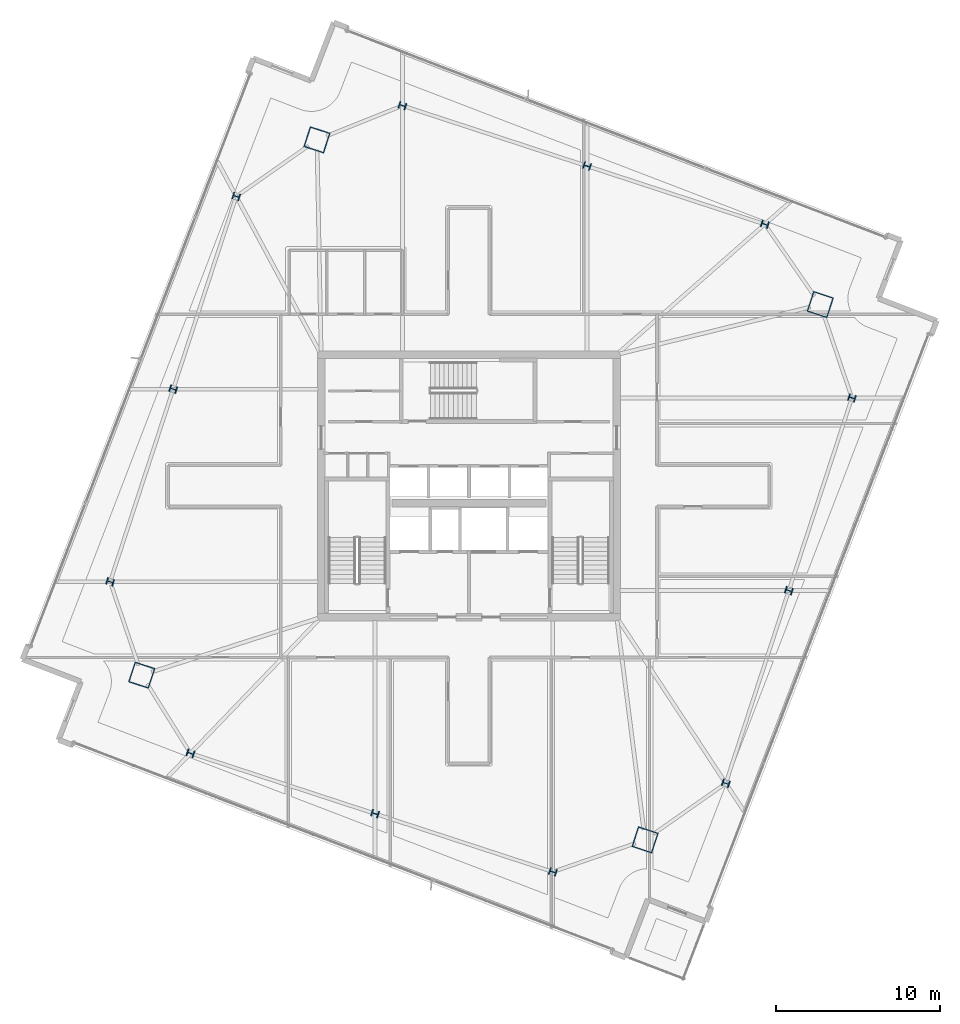
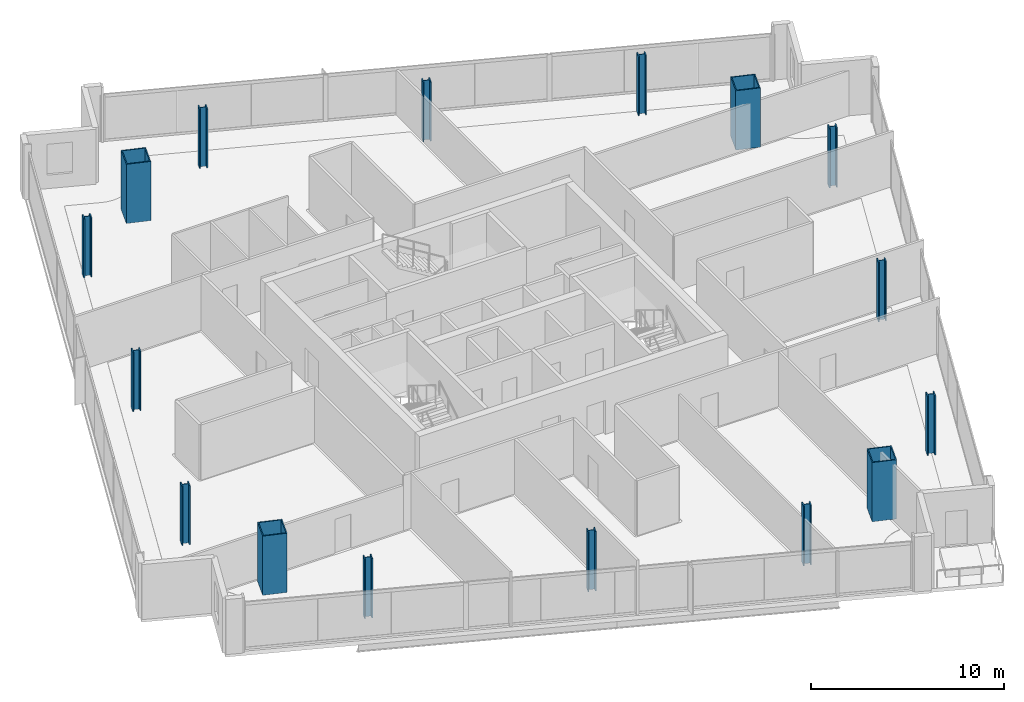
# One storey, part 1 of 27: 16 columns.
"""IFC4 building model written with IfcOpenShell, lengths in metres."""

from ifc_helpers import new_model, si_unit, direction, frame, origin, origin_2d, place, context, subcontext, project, spatial, hollow_rectangle, i_section, extrude, material, material_profile, profile_set, type_object, element, save


model = new_model("IFC4")

# Units and contexts
model_context = context("Model", 3, precision=1e-05, world=origin(), true_north=direction((0.0, 1.0)))
body_context = subcontext(model_context, "Body", "Model", "MODEL_VIEW")
ifc_project = project(units=[si_unit("LENGTHUNIT", "METRE"), si_unit("AREAUNIT", "SQUARE_METRE"), si_unit("VOLUMEUNIT", "CUBIC_METRE"), si_unit("PLANEANGLEUNIT", "RADIAN"), si_unit("MASSUNIT", "GRAM", prefix="KILO")], contexts=[model_context])

# Site, building, storey
site_placement = place(None, origin())
site = spatial("IfcSite", under=ifc_project, at=site_placement, CompositionType="ELEMENT")
building_placement = place(site_placement, origin())
building = spatial("IfcBuilding", under=site, at=building_placement, Name="Haldenkirk Collegiate Tower", CompositionType="ELEMENT")
storey_placement = place(building_placement, frame((0.0, 0.0, 259.949951171875)))
storey = spatial("IfcBuildingStorey", under=building, at=storey_placement, Name="L65", CompositionType="ELEMENT", Elevation=259.949951171875)

# Columns
ifc_material_1 = material(Name="Steel ASTM A913 Grade 65", Category="steel")
ifc_material_profile_1 = material_profile(ifc_material_1, i_section(OverallWidth=0.416015625, OverallDepth=0.445068359375, WebThickness=0.0390625, FlangeThickness=0.062744140625, at=origin_2d()), Name="W14X342")
ifc_profile_set_1 = profile_set([ifc_material_profile_1], Name="Steel ASTM A913 Grade 65")
column_type_1 = type_object("IfcColumnType", Name="COL-INT-W14X342", PredefinedType="COLUMN", material=ifc_profile_set_1)
for number, where, z_axis, x_axis, name in (
    (1, (51.64306640625, 7.888671875, 0.0), (0.0, 0.0, 1.0), (0.311008203279, 0.950407227189, 0.0), "L65 perimeter gravity column PC-S1"),
    (2, (55.4833984375, 19.624267578125, 0.0), (0.0, 0.0, 1.0), (0.311008203279, 0.950407227189, 0.0), "L65 perimeter gravity column PC-S2"),
    (3, (59.32373046875, 31.360107421875, 0.0), (0.0, 0.0, 1.0), (0.311008203279, 0.950407227189, 0.0), "L65 perimeter gravity column PC-S3"),
    (4, (54.01806640625, 41.9365234375, 0.0), (0.0, 0.0, 1.0), (0.311008203279, 0.950407227189, 0.0), "L65 perimeter gravity column PC-E1"),
    (5, (43.18994140625, 45.47998046875, 0.0), (0.0, 0.0, 1.0), (0.311008203279, 0.950407227189, 0.0), "L65 perimeter gravity column PC-E2"),
    (6, (31.949462890625, 49.158203125, 0.0), (0.0, 0.0, 1.0), (0.311008203279, 0.950407227189, 0.0), "L65 perimeter gravity column PC-E3"),
    (7, (21.830078125, 43.629150390625, 0.0), (0.0, 0.0, 1.0), (0.311008203279, 0.950407227189, 0.0), "L65 perimeter gravity column PC-N1"),
    (8, (17.98974609375, 31.8935546875, 0.0), (0.0, 0.0, 1.0), (0.311008203279, 0.950407227189, 0.0), "L65 perimeter gravity column PC-N2"),
    (9, (14.1494140625, 20.157958984375, 0.0), (0.0, 0.0, 1.0), (0.311008203279, 0.950407227189, 0.0), "L65 perimeter gravity column PC-N3"),
    (10, (19.042724609375, 9.71630859375, 0.0), (0.0, 0.0, 1.0), (0.311008203279, 0.950407227189, 0.0), "L65 perimeter gravity column PC-W1"),
    (11, (30.283203125, 6.0380859375, 0.0), (0.0, 0.0, 1.0), (0.311008203279, 0.950407227189, 0.0), "L65 perimeter gravity column PC-W2"),
    (12, (41.111083984375, 2.49462890625, 0.0), (0.0, 0.0, 1.0), (0.311008203279, 0.950407227189, 0.0), "L65 perimeter gravity column PC-W3"),
):
    element("IfcColumn", number, at=place(storey_placement, frame(where, z_axis=z_axis, x_axis=x_axis)), inside=storey, type_object=column_type_1, Name=name, PredefinedType="COLUMN", context=body_context, shape_type="SweptSolid", body=[
        extrude(i_section(OverallWidth=0.416015625, OverallDepth=0.445068359375, WebThickness=0.0390625, FlangeThickness=0.062744140625, at=origin_2d()), origin(), (0.0, 0.0, 1.0), 3.75),
    ])
ifc_material_2 = material(Name="Steel ASTM A572 Grade 50", Category="steel")
ifc_material_profile_2 = material_profile(ifc_material_2, hollow_rectangle(XDim=1.300048828125, YDim=1.300048828125, WallThickness=0.06005859375, at=origin_2d()), Name="BOX1300X1300X60")
ifc_profile_set_2 = profile_set([ifc_material_profile_2], Name="Steel ASTM A572 Grade 50")
column_type_2 = type_object("IfcColumnType", Name="COL-MEGA-BOX1300X1300X60", PredefinedType="COLUMN", material=ifc_profile_set_2)
for number, where, z_axis, x_axis, name in (
    (13, (46.72802734375, 4.444580078125, 0.0), (0.0, 0.0, 1.0), (0.311008203279, 0.950407227189, 0.0), "L65 corner mega-column MC1"),
    (14, (57.395751953125, 37.04345703125, 0.0), (0.0, 0.0, 1.0), (0.311008203279, 0.950407227189, 0.0), "L65 corner mega-column MC2"),
    (15, (26.7451171875, 47.073486328125, 0.0), (0.0, 0.0, 1.0), (0.311008203279, 0.950407227189, 0.0), "L65 corner mega-column MC3"),
    (16, (16.077392578125, 14.474609375, 0.0), (0.0, 0.0, 1.0), (0.311008203279, 0.950407227189, 0.0), "L65 corner mega-column MC4"),
):
    element("IfcColumn", number, at=place(storey_placement, frame(where, z_axis=z_axis, x_axis=x_axis)), inside=storey, type_object=column_type_2, Name=name, PredefinedType="COLUMN", context=body_context, shape_type="SweptSolid", body=[
        extrude(hollow_rectangle(XDim=1.300048828125, YDim=1.300048828125, WallThickness=0.06005859375, at=origin_2d()), origin(), (0.0, 0.0, 1.0), 3.75),
    ])

save(model, "model.ifc")
